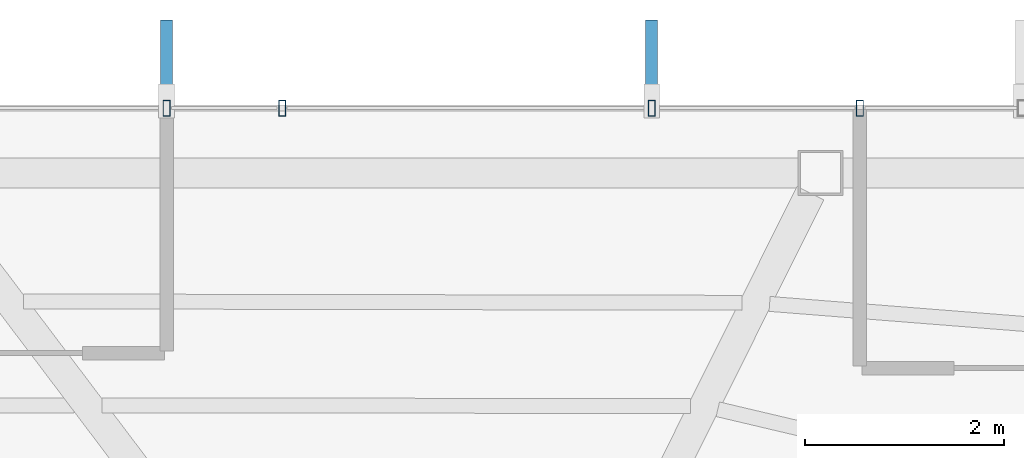
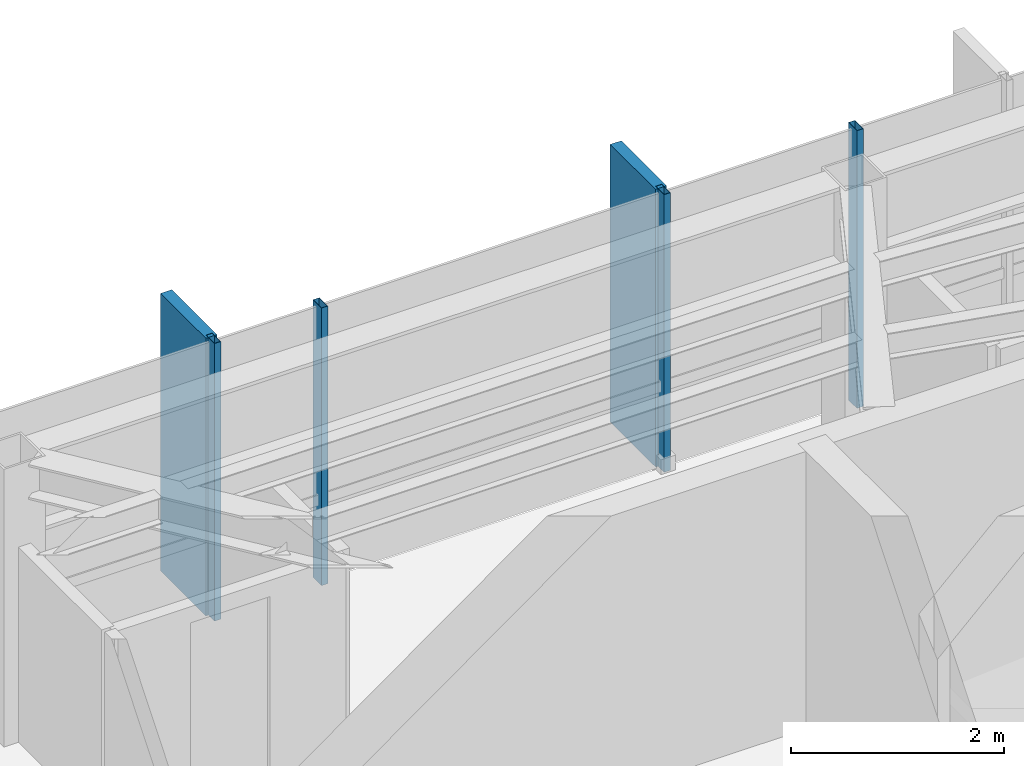
# One storey, part 14 of 23: 6 members, 1 element without a shape of its own.
"""IFC4 building model written with IfcOpenShell, lengths in metres."""

import ifcopenshell
import ifcopenshell.guid

model = None  # the IFC model being written
_history = None  # IfcOwnerHistory: only IFC2X3 demands one
_inside = {}  # id of a spatial element -> (the spatial element, [elements in it])
_under = {}  # id of a project, library or spatial element -> (it, [spatial elements below it])
_declared = {}  # id of a project -> (the project, [libraries it declares])
_typed = {}  # id of a type object -> (the type object, [elements of that type])
_made_of = {}  # id of a material, layer set ... -> (it, [elements and type objects made of it])


def new_model(schema):
    """Start an empty IFC model of exactly this schema.

    Asked for "IFC4X3", IfcOpenShell would pick the latest addendum, in which some entities
    have other attributes; the version numbers below select the first issue.
    IFC2X3 requires an IfcOwnerHistory on every rooted entity: one is made here for all.
    """
    global model, _history
    if schema == "IFC4X3":
        model = ifcopenshell.file(schema_version=(4, 3, 0, 0))
    else:
        model = ifcopenshell.file(schema=schema)
    _inside.clear()
    _under.clear()
    _declared.clear()
    _typed.clear()
    _made_of.clear()
    _history = None
    if model.schema == "IFC2X3":
        org = make("IfcOrganization", Name="unknown")
        user = make(
            "IfcPersonAndOrganization",
            ThePerson=make("IfcPerson", FamilyName="unknown"),
            TheOrganization=org,
        )
        app = make(
            "IfcApplication",
            ApplicationDeveloper=org,
            Version="unknown",
            ApplicationFullName="unknown",
            ApplicationIdentifier="unknown",
        )
        _history = make(
            "IfcOwnerHistory",
            OwningUser=user,
            OwningApplication=app,
            ChangeAction="ADDED",
            CreationDate=0,
        )
    return model


def make(cls, **values):
    """One entity of the class cls with the attributes given. An attribute that is None is left unset."""
    return model.create_entity(
        cls, **{name: value for name, value in values.items() if value is not None}
    )


def rooted(cls, **values):
    """An entity with a GlobalId (a new one), such as an element, a storey or a relation."""
    return make(cls, GlobalId=ifcopenshell.guid.new(), OwnerHistory=_history, **values)


def si_unit(unit_type, name, prefix=None):
    """IfcSIUnit, for example si_unit("LENGTHUNIT", "METRE", prefix="MILLI")."""
    return make("IfcSIUnit", UnitType=unit_type, Prefix=prefix, Name=name)


def assignment(units):
    """IfcUnitAssignment: the units of a project."""
    return None if units is None else make("IfcUnitAssignment", Units=units)


def point(xyz):
    """IfcCartesianPoint."""
    return None if xyz is None else make("IfcCartesianPoint", Coordinates=xyz)


def direction(xyz):
    """IfcDirection."""
    return None if xyz is None else make("IfcDirection", DirectionRatios=xyz)


def frame(location, z_axis=None, x_axis=None):
    """IfcAxis2Placement3D, a coordinate frame: its origin and axes. An axis left out is left unset."""
    return make(
        "IfcAxis2Placement3D",
        Location=point(location),
        Axis=direction(z_axis),
        RefDirection=direction(x_axis),
    )


def frame_2d(location, x_axis=None):
    """IfcAxis2Placement2D, a coordinate frame in the plane: its origin and x axis."""
    return make(
        "IfcAxis2Placement2D", Location=point(location), RefDirection=direction(x_axis)
    )


def origin():
    """The frame at (0, 0, 0) with its axes left unset."""
    return frame((0.0, 0.0, 0.0))


def origin_2d():
    """The frame at (0, 0) in the plane with its x axis left unset."""
    return frame_2d((0.0, 0.0))


def place(relative_to, where):
    """IfcLocalPlacement: puts the frame where relative to a parent placement (None: the world)."""
    return make(
        "IfcLocalPlacement", PlacementRelTo=relative_to, RelativePlacement=where
    )


def context(
    kind, dimensions, precision=None, world=None, true_north=None, identifier=None
):
    """IfcGeometricRepresentationContext, for example the 3D "Model" context."""
    return make(
        "IfcGeometricRepresentationContext",
        ContextIdentifier=identifier,
        ContextType=kind,
        CoordinateSpaceDimension=dimensions,
        Precision=precision,
        WorldCoordinateSystem=world,
        TrueNorth=true_north,
    )


def subcontext(parent, identifier, kind, view, scale=None):
    """IfcGeometricRepresentationSubContext, for example "Body" below "Model"."""
    return make(
        "IfcGeometricRepresentationSubContext",
        ContextIdentifier=identifier,
        ContextType=kind,
        ParentContext=parent,
        TargetScale=scale,
        TargetView=view,
    )


def project(units=None, contexts=None):
    """IfcProject with its units and contexts."""
    return rooted(
        "IfcProject",
        Name="project",
        RepresentationContexts=contexts,
        UnitsInContext=assignment(units),
    )


def spatial(cls, under=None, at=None, **own):
    """A site, building, storey or space (cls), placed at a placement, below another one or the project."""
    s = rooted(cls, ObjectPlacement=at, **own)
    if under is not None:
        _under.setdefault(under.id(), (under, []))[1].append(s)
    return s


def profile(cls, at=None, kind="AREA", **sizes):
    """A parametric profile (cls). Its sizes go by their IFC names, for example OverallWidth=200.0."""
    return make(cls, ProfileType=kind, Position=at, **sizes)


def rectangle(**sizes):
    """IfcRectangleProfileDef."""
    return profile("IfcRectangleProfileDef", **sizes)


def hollow_rectangle(**sizes):
    """IfcRectangleHollowProfileDef."""
    return profile("IfcRectangleHollowProfileDef", **sizes)


def extrude(swept, where, along, depth):
    """IfcExtrudedAreaSolid: the profile swept, set in the frame where, extruded along a direction by depth."""
    return make(
        "IfcExtrudedAreaSolid",
        SweptArea=swept,
        Position=where,
        ExtrudedDirection=direction(along),
        Depth=depth,
    )


def shape(context_of_items, identifier, shape_type, items):
    """IfcShapeRepresentation: the items that make up one representation, for example the "Body"."""
    return make(
        "IfcShapeRepresentation",
        ContextOfItems=context_of_items,
        RepresentationIdentifier=identifier,
        RepresentationType=shape_type,
        Items=items,
    )


def material(Name=None, Category=None):
    """IfcMaterial."""
    return make("IfcMaterial", Name=Name, Category=Category)


def layer(
    of_material, thickness, ventilated=None, Name=None, Category=None, Priority=None
):
    """IfcMaterialLayer: one layer of a wall or slab, of a material (None: an air gap)."""
    return make(
        "IfcMaterialLayer",
        Material=of_material,
        LayerThickness=thickness,
        IsVentilated=ventilated,
        Name=Name,
        Category=Category,
        Priority=Priority,
    )


def layer_set(layers, Name=None):
    """IfcMaterialLayerSet."""
    return make("IfcMaterialLayerSet", MaterialLayers=layers, LayerSetName=Name)


def material_profile(
    of_material, cross_section, Name=None, Category=None, Priority=None
):
    """IfcMaterialProfile: a cross section and its material."""
    return make(
        "IfcMaterialProfile",
        Name=Name,
        Material=of_material,
        Profile=cross_section,
        Priority=Priority,
        Category=Category,
    )


def profile_set(profiles, Name=None, composite=None):
    """IfcMaterialProfileSet."""
    return make(
        "IfcMaterialProfileSet",
        Name=Name,
        MaterialProfiles=profiles,
        CompositeProfile=composite,
    )


def made_of(thing, what):
    """Note that an element or type object is made of a material, layer set ...; save() writes the relation."""
    if what is not None:
        _made_of.setdefault(what.id(), (what, []))[1].append(thing)
    return thing


def type_object(cls, material=None, **own):
    """A type object (cls), such as IfcWallType, which elements share."""
    return made_of(rooted(cls, **own), material)


def element(
    cls,
    number,
    at=None,
    inside=None,
    cuts=None,
    type_object=None,
    material=None,
    context=None,
    identifier="Body",
    shape_type=None,
    held_by="IfcProductDefinitionShape",
    body=None,
    shapes=None,
    **own,
):
    """One element of the class cls, such as IfcWall. Its Tag is "e" and its number.

    at: its placement. inside: the storey or other place that contains it. cuts: it is an
    opening in that element (IfcRelVoidsElement). A single representation is given by context,
    identifier, shape_type and body (its items); several are given by shapes. held_by: the class
    of the entity that holds the representations. save() writes the other relations.
    """
    e = rooted(cls, Tag="e%d" % number, ObjectPlacement=at, **own)
    if body is not None:
        shapes = [shape(context, identifier, shape_type, body)]
    if shapes is not None:
        e.Representation = make(held_by, Representations=shapes)
    if inside is not None:
        _inside.setdefault(inside.id(), (inside, []))[1].append(e)
    if cuts is not None:
        rooted(
            "IfcRelVoidsElement", RelatingBuildingElement=cuts, RelatedOpeningElement=e
        )
    if type_object is not None:
        _typed.setdefault(type_object.id(), (type_object, []))[1].append(e)
    return made_of(e, material)


def aggregate(whole, parts):
    """IfcRelAggregates: a whole, such as a stair, and the parts it consists of."""
    return rooted("IfcRelAggregates", RelatingObject=whole, RelatedObjects=parts)


def save(model, path):
    """Write the relations noted so far, then the file.

    IfcRelAggregates (storeys below a building ...), IfcRelContainedInSpatialStructure (elements
    in a storey), IfcRelDefinesByType, IfcRelAssociatesMaterial and IfcRelDeclares: one each for
    every whole, place, type object, material and project.
    """
    for whole, parts in _under.values():
        aggregate(whole, parts)
    for where, things in _inside.values():
        rooted(
            "IfcRelContainedInSpatialStructure",
            RelatedElements=things,
            RelatingStructure=where,
        )
    for kind, things in _typed.values():
        rooted("IfcRelDefinesByType", RelatedObjects=things, RelatingType=kind)
    for what, things in _made_of.values():
        rooted("IfcRelAssociatesMaterial", RelatedObjects=things, RelatingMaterial=what)
    for by, libraries in _declared.values():
        rooted("IfcRelDeclares", RelatingContext=by, RelatedDefinitions=libraries)
    model.write(path)


model = new_model("IFC4")

# Units and contexts
model_context = context("Model", 3, precision=1e-05, world=origin(), true_north=direction((0.0, 1.0)))
body_context = subcontext(model_context, "Body", "Model", "MODEL_VIEW")
ifc_project = project(units=[si_unit("LENGTHUNIT", "METRE"), si_unit("AREAUNIT", "SQUARE_METRE"), si_unit("VOLUMEUNIT", "CUBIC_METRE"), si_unit("PLANEANGLEUNIT", "RADIAN"), si_unit("MASSUNIT", "GRAM", prefix="KILO")], contexts=[model_context])

# Site, building, storey
site_placement = place(None, origin())
site = spatial("IfcSite", under=ifc_project, at=site_placement, CompositionType="ELEMENT")
building_placement = place(site_placement, origin())
building = spatial("IfcBuilding", under=site, at=building_placement, Name="Zarrinselat Tower", CompositionType="ELEMENT")
storey_placement = place(building_placement, frame((0.0, 0.0, 278.800048828125)))
storey = spatial("IfcBuildingStorey", under=building, at=storey_placement, Name="L71", CompositionType="ELEMENT", Elevation=278.800048828125)

# Curtain wall, members
ifc_material_1 = material(Name="Extruded Aluminium Alloy EN AW-6063 T6", Category="aluminium")
ifc_layer = layer(ifc_material_1, 0.169921875)
ifc_layer_set = layer_set([ifc_layer], Name="Extruded Aluminium Alloy EN AW-6063 T6")
curtain_wall_type = type_object("IfcCurtainWallType", Name="CWS-RES", PredefinedType="NOTDEFINED", material=ifc_layer_set)
curtain_wall_placement = place(storey_placement, origin())
curtain_wall = element("IfcCurtainWall", 1, at=curtain_wall_placement, inside=storey, type_object=curtain_wall_type, Name="L71 Unitised Curtain Wall CW-L71-E01", PredefinedType="NOTDEFINED")
ifc_material_2 = material(Name="Extruded Aluminium Alloy EN AW-6063 T6", Category="aluminium")
ifc_material_profile_1 = material_profile(ifc_material_2, hollow_rectangle(XDim=0.070068359375, YDim=0.159912109375, WallThickness=0.00390625, at=origin_2d()), Name="RHS 160x70x4")
ifc_profile_set_1 = profile_set([ifc_material_profile_1], Name="Extruded Aluminium Alloy EN AW-6063 T6")
member_type_1 = type_object("IfcMemberType", Name="MEM-CW-MUL2", PredefinedType="MULLION", material=ifc_profile_set_1)
member_1_placement = place(storey_placement, frame((47.91259765625, 47.63330078125, 0.0), z_axis=(0.0, 0.0, 1.0), x_axis=(-1.0, 0.0, 0.0)))
member_1 = element("IfcMember", 2, at=member_1_placement, type_object=member_type_1, Name="CW-L71-E01 Mullion 4", PredefinedType="MULLION", context=body_context, shape_type="SweptSolid", body=[
    extrude(hollow_rectangle(XDim=0.070068359375, YDim=0.159912109375, WallThickness=0.00390625, at=origin_2d()), origin(), (0.0, 0.0, 1.0), 3.179931640625),
])
member_2_placement = place(storey_placement, frame((45.82177734375, 47.63330078125, 0.0), z_axis=(0.0, 0.0, 1.0), x_axis=(-1.0, 0.0, 0.0)))
member_2 = element("IfcMember", 3, at=member_2_placement, type_object=member_type_1, Name="CW-L71-E01 Mullion 5", PredefinedType="MULLION", context=body_context, shape_type="SweptSolid", body=[
    extrude(hollow_rectangle(XDim=0.070068359375, YDim=0.159912109375, WallThickness=0.00390625, at=origin_2d()), origin(), (0.0, 0.0, 1.0), 3.179931640625),
])
member_3_placement = place(storey_placement, frame((42.1103515625, 47.63330078125, 0.0), z_axis=(0.0, 0.0, 1.0), x_axis=(-1.0, 0.0, 0.0)))
member_3 = element("IfcMember", 4, at=member_3_placement, type_object=member_type_1, Name="CW-L71-E01 Mullion 6", PredefinedType="MULLION", context=body_context, shape_type="SweptSolid", body=[
    extrude(hollow_rectangle(XDim=0.070068359375, YDim=0.159912109375, WallThickness=0.00390625, at=origin_2d()), origin(), (0.0, 0.0, 1.0), 3.179931640625),
])
member_4_placement = place(storey_placement, frame((40.949951171875, 47.63330078125, 0.0), z_axis=(0.0, 0.0, 1.0), x_axis=(-1.0, 0.0, 0.0)))
member_4 = element("IfcMember", 5, at=member_4_placement, type_object=member_type_1, Name="CW-L71-E01 Mullion 7", PredefinedType="MULLION", context=body_context, shape_type="SweptSolid", body=[
    extrude(hollow_rectangle(XDim=0.070068359375, YDim=0.159912109375, WallThickness=0.00390625, at=origin_2d()), origin(), (0.0, 0.0, 1.0), 3.179931640625),
])
ifc_material_3 = material(Name="Honed Cream Travertine Stone", Category="masonry")
ifc_material_profile_2 = material_profile(ifc_material_3, rectangle(XDim=0.1201171875, YDim=0.85009765625, at=origin_2d()), Name="FIN 850x120")
ifc_profile_set_2 = profile_set([ifc_material_profile_2], Name="Honed Cream Travertine Stone")
member_type_2 = type_object("IfcMemberType", Name="MEM-STONE-FIN", PredefinedType="USERDEFINED", material=ifc_profile_set_2)
member_5_placement = place(storey_placement, frame((45.82177734375, 48.09326171875, 0.0), z_axis=(0.0, 0.0, 1.0), x_axis=(1.0, 0.0, 0.0)))
member_5 = element("IfcMember", 6, at=member_5_placement, type_object=member_type_2, Name="L71 Stone Shading Fin CW-L71-E01-05", ObjectType="FIN", PredefinedType="USERDEFINED", context=body_context, shape_type="SweptSolid", body=[
    extrude(rectangle(XDim=0.1201171875, YDim=0.85009765625, at=origin_2d()), origin(), (0.0, 0.0, 1.0), 3.179931640625),
])
member_6_placement = place(storey_placement, frame((40.949951171875, 48.09326171875, 0.0), z_axis=(0.0, 0.0, 1.0), x_axis=(1.0, 0.0, 0.0)))
member_6 = element("IfcMember", 7, at=member_6_placement, type_object=member_type_2, Name="L71 Stone Shading Fin CW-L71-E01-07", ObjectType="FIN", PredefinedType="USERDEFINED", context=body_context, shape_type="SweptSolid", body=[
    extrude(rectangle(XDim=0.1201171875, YDim=0.85009765625, at=origin_2d()), origin(), (0.0, 0.0, 1.0), 3.179931640625),
])
aggregate(curtain_wall, [member_1, member_2, member_5, member_3, member_4, member_6])

save(model, "model.ifc")
